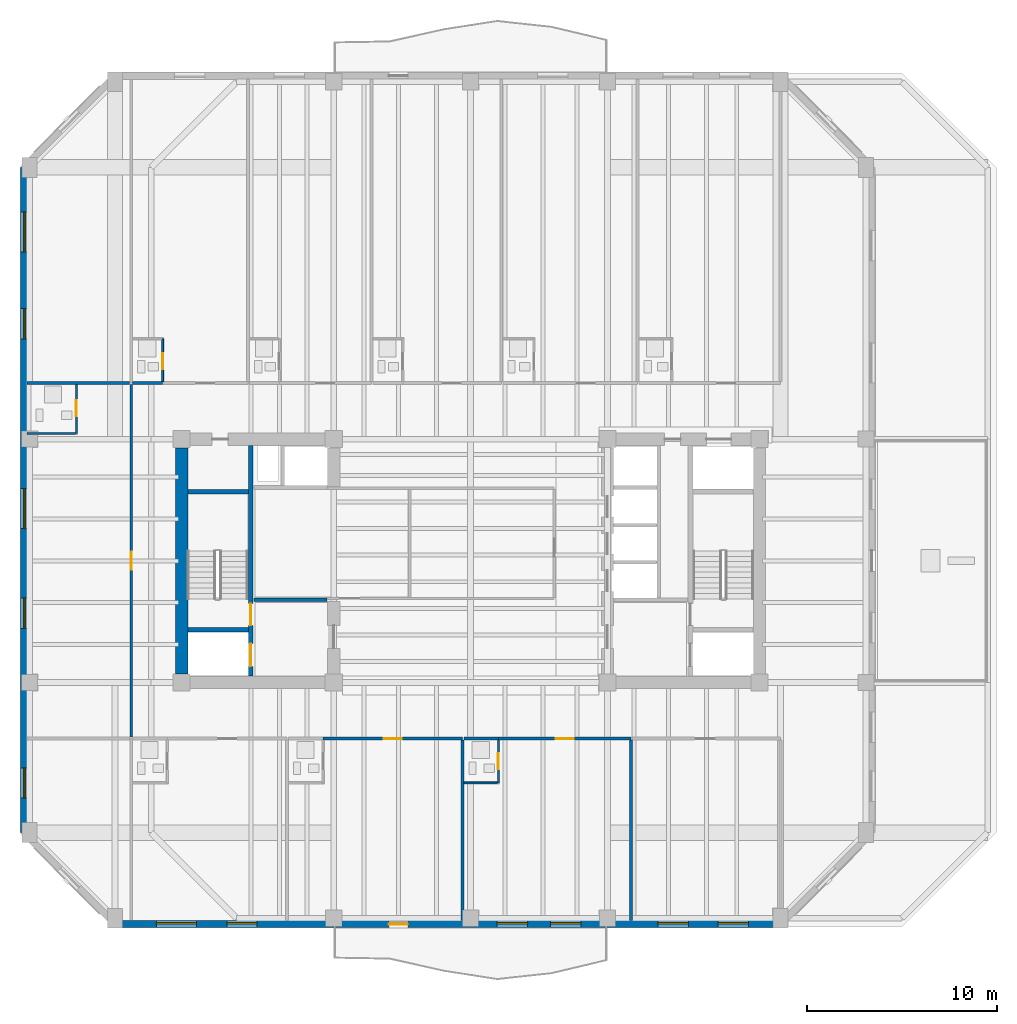
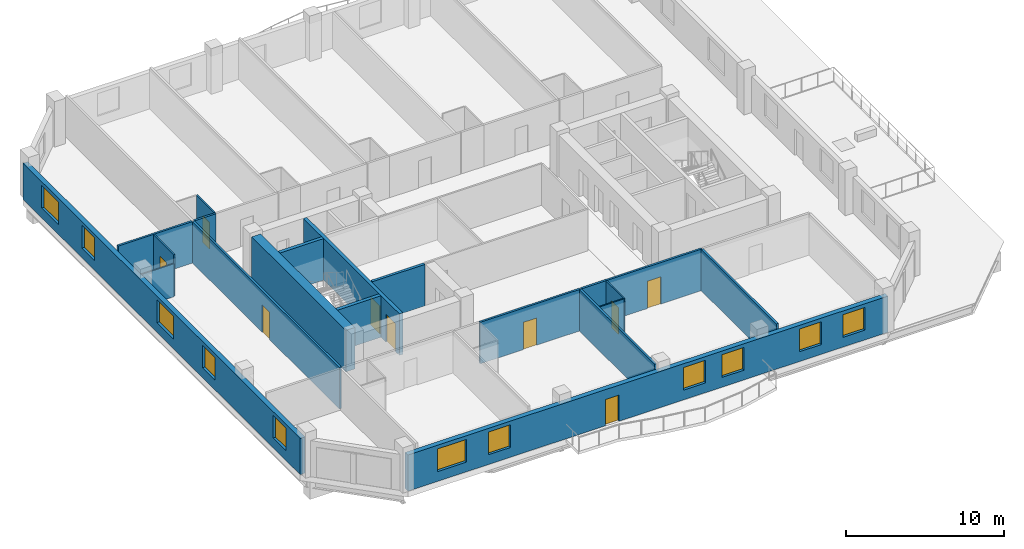
# One storey, part 3 of 11: 20 walls, 11 windows, 9 doors, 20 openings.
"""IFC4 building model written with IfcOpenShell, lengths in metres."""

from ifc_helpers import new_model, si_unit, direction, frame, frame_2d, origin, place, context, subcontext, project, spatial, rectangle, extrude, material, layer, layer_set, type_object, element, fill, save


model = new_model("IFC4")

# Units and contexts
model_context = context("Model", 3, precision=1e-05, world=origin(), true_north=direction((0.0, 1.0)))
body_context = subcontext(model_context, "Body", "Model", "MODEL_VIEW")
ifc_project = project(units=[si_unit("LENGTHUNIT", "METRE"), si_unit("AREAUNIT", "SQUARE_METRE"), si_unit("VOLUMEUNIT", "CUBIC_METRE"), si_unit("PLANEANGLEUNIT", "RADIAN"), si_unit("MASSUNIT", "GRAM", prefix="KILO")], contexts=[model_context])

# Site, building, storey
site_placement = place(None, origin())
site = spatial("IfcSite", under=ifc_project, at=site_placement, CompositionType="ELEMENT")
building_placement = place(site_placement, origin())
building = spatial("IfcBuilding", under=site, at=building_placement, Name="Kranthara Brick Stack", CompositionType="ELEMENT")
storey_placement = place(building_placement, frame((0.0, 0.0, 183.300048828125)))
storey = spatial("IfcBuildingStorey", under=building, at=storey_placement, Name="L47", CompositionType="ELEMENT", Elevation=183.300048828125)

# Wall, openings, door, windows
ifc_material_1 = material(Name="Kiln-fired clay brick masonry M15", Category="masonry")
ifc_layer_1 = layer(ifc_material_1, 0.35009765625)
ifc_layer_set_1 = layer_set([ifc_layer_1], Name="Kiln-fired clay brick masonry M15")
wall_type_1 = type_object("IfcWallType", Name="WL-BRK-SPND-350", PredefinedType="STANDARD", material=ifc_layer_set_1)
wall_1_placement = place(storey_placement, frame((44.300048828125, 8.094970703125, 0.0), z_axis=(0.0, 0.0, 1.0), x_axis=(-1.0, 0.0, 0.0)))
wall_1 = element("IfcWall", 1, at=wall_1_placement, inside=storey, type_object=wall_type_1, Name="L47 Exterior Brick Facade Wall SOUTH 1", PredefinedType="STANDARD", context=body_context, shape_type="SweptSolid", body=[
    extrude(rectangle(XDim=35.0, YDim=0.35009765625, at=frame_2d((17.5, 0.0))), origin(), (0.0, 0.0, 1.0), 2.784912109375),
])
opening_1_placement = place(wall_1_placement, frame((19.60009765625, 0.0, 0.0)))
opening_1 = element("IfcOpeningElement", 2, at=opening_1_placement, cuts=wall_1, Name="Opening D03", PredefinedType="OPENING", context=body_context, shape_type="SweptSolid", body=[
    extrude(rectangle(XDim=1.0, YDim=2.02001953125, at=frame_2d((0.5, 1.010009765625))), frame((0.0, 0.18505859375, 0.0), z_axis=(0.0, -1.0, 0.0), x_axis=(1.0, 0.0, 0.0)), (0.0, 0.0, 1.0), 0.3701171875),
])
opening_2_placement = place(wall_1_placement, frame((1.68603515625, 0.0, 0.75)))
opening_2 = element("IfcOpeningElement", 3, at=opening_2_placement, cuts=wall_1, Name="Opening WN04", PredefinedType="OPENING", context=body_context, shape_type="SweptSolid", body=[
    extrude(rectangle(XDim=1.60009765625, YDim=1.75, at=frame_2d((0.800048828125, 0.875))), frame((0.0, 0.18505859375, 0.0), z_axis=(0.0, -1.0, 0.0), x_axis=(1.0, 0.0, 0.0)), (0.0, 0.0, 1.0), 0.3701171875),
])
opening_3_placement = place(wall_1_placement, frame((4.843017578125, 0.0, 0.75)))
opening_3 = element("IfcOpeningElement", 4, at=opening_3_placement, cuts=wall_1, Name="Opening WN04", PredefinedType="OPENING", context=body_context, shape_type="SweptSolid", body=[
    extrude(rectangle(XDim=1.60009765625, YDim=1.75, at=frame_2d((0.800048828125, 0.875))), frame((0.0, 0.18505859375, 0.0), z_axis=(0.0, -1.0, 0.0), x_axis=(1.0, 0.0, 0.0)), (0.0, 0.0, 1.0), 0.3701171875),
])
opening_4_placement = place(wall_1_placement, frame((10.49609375, 0.0, 0.75)))
opening_4 = element("IfcOpeningElement", 5, at=opening_4_placement, cuts=wall_1, Name="Opening WN04", PredefinedType="OPENING", context=body_context, shape_type="SweptSolid", body=[
    extrude(rectangle(XDim=1.60009765625, YDim=1.75, at=frame_2d((0.800048828125, 0.875))), frame((0.0, 0.18505859375, 0.0), z_axis=(0.0, -1.0, 0.0), x_axis=(1.0, 0.0, 0.0)), (0.0, 0.0, 1.0), 0.3701171875),
])
opening_5_placement = place(wall_1_placement, frame((13.303955078125, 0.0, 0.75)))
opening_5 = element("IfcOpeningElement", 6, at=opening_5_placement, cuts=wall_1, Name="Opening WN04", PredefinedType="OPENING", context=body_context, shape_type="SweptSolid", body=[
    extrude(rectangle(XDim=1.60009765625, YDim=1.75, at=frame_2d((0.800048828125, 0.875))), frame((0.0, 0.18505859375, 0.0), z_axis=(0.0, -1.0, 0.0), x_axis=(1.0, 0.0, 0.0)), (0.0, 0.0, 1.0), 0.3701171875),
])
opening_6_placement = place(wall_1_placement, frame((27.52490234375, 0.0, 0.75)))
opening_6 = element("IfcOpeningElement", 7, at=opening_6_placement, cuts=wall_1, Name="Opening WN04", PredefinedType="OPENING", context=body_context, shape_type="SweptSolid", body=[
    extrude(rectangle(XDim=1.60009765625, YDim=1.75, at=frame_2d((0.800048828125, 0.875))), frame((0.0, 0.18505859375, 0.0), z_axis=(0.0, -1.0, 0.0), x_axis=(1.0, 0.0, 0.0)), (0.0, 0.0, 1.0), 0.3701171875),
])
opening_7_placement = place(wall_1_placement, frame((30.72900390625, 0.0, 0.75)))
opening_7 = element("IfcOpeningElement", 8, at=opening_7_placement, cuts=wall_1, Name="Opening WN05", PredefinedType="OPENING", context=body_context, shape_type="SweptSolid", body=[
    extrude(rectangle(XDim=2.10009765625, YDim=1.75, at=frame_2d((1.050048828125, 0.875))), frame((0.0, 0.18505859375, 0.0), z_axis=(0.0, -1.0, 0.0), x_axis=(1.0, 0.0, 0.0)), (0.0, 0.0, 1.0), 0.3701171875),
])
ifc_material_2 = material(Name="Bronze anodised aluminium and laminated glass", Category="aluminium")
door_type_1 = type_object("IfcDoorType", Name="DR-BALC-1000", OperationType="NOTDEFINED", PredefinedType="DOOR", material=ifc_material_2)
door_1_placement = place(opening_1_placement, origin())
door_1 = element("IfcDoor", 9, at=door_1_placement, inside=storey, type_object=door_type_1, Name="L47 South Balcony Terrace Door", OperationType="SINGLE_SWING_LEFT", OverallHeight=2.02001953125, OverallWidth=1.0, PredefinedType="DOOR", context=body_context, shape_type="SweptSolid", body=[
    extrude(rectangle(XDim=1.0, YDim=2.02001953125, at=frame_2d((0.5, 1.010009765625))), frame((0.0, 0.02490234375, 0.0), z_axis=(0.0, -1.0, 0.0), x_axis=(1.0, 0.0, 0.0)), (0.0, 0.0, 1.0), 0.050048828125),
])
fill(opening_1, door_1)
ifc_material_3 = material(Name="Double-glazed low-E solar control glass", Category="glass")
window_type_1 = type_object("IfcWindowType", Name="WN-HTL-1600x1850", PartitioningType="DOUBLE_PANEL_VERTICAL", PredefinedType="WINDOW", material=ifc_material_3)
window_1_placement = place(opening_2_placement, origin())
window_1 = element("IfcWindow", 10, at=window_1_placement, inside=storey, type_object=window_type_1, Name="L47 South Deep-Set Brick Window 01", OverallHeight=1.75, OverallWidth=1.60009765625, PartitioningType="SINGLE_PANEL", PredefinedType="WINDOW", context=body_context, shape_type="SweptSolid", body=[
    extrude(rectangle(XDim=1.60009765625, YDim=1.75, at=frame_2d((0.800048828125, 0.875))), frame((0.0, -0.010009765625, 0.0), z_axis=(0.0, -1.0, 0.0), x_axis=(1.0, 0.0, 0.0)), (0.0, 0.0, 1.0), 0.06005859375),
])
fill(opening_2, window_1)
window_2_placement = place(opening_3_placement, origin())
window_2 = element("IfcWindow", 11, at=window_2_placement, inside=storey, type_object=window_type_1, Name="L47 South Deep-Set Brick Window 02", OverallHeight=1.75, OverallWidth=1.60009765625, PartitioningType="SINGLE_PANEL", PredefinedType="WINDOW", context=body_context, shape_type="SweptSolid", body=[
    extrude(rectangle(XDim=1.60009765625, YDim=1.75, at=frame_2d((0.800048828125, 0.875))), frame((0.0, -0.010009765625, 0.0), z_axis=(0.0, -1.0, 0.0), x_axis=(1.0, 0.0, 0.0)), (0.0, 0.0, 1.0), 0.06005859375),
])
fill(opening_3, window_2)
window_3_placement = place(opening_4_placement, origin())
window_3 = element("IfcWindow", 12, at=window_3_placement, inside=storey, type_object=window_type_1, Name="L47 South Deep-Set Brick Window 03", OverallHeight=1.75, OverallWidth=1.60009765625, PartitioningType="SINGLE_PANEL", PredefinedType="WINDOW", context=body_context, shape_type="SweptSolid", body=[
    extrude(rectangle(XDim=1.60009765625, YDim=1.75, at=frame_2d((0.800048828125, 0.875))), frame((0.0, -0.010009765625, 0.0), z_axis=(0.0, -1.0, 0.0), x_axis=(1.0, 0.0, 0.0)), (0.0, 0.0, 1.0), 0.06005859375),
])
fill(opening_4, window_3)
window_4_placement = place(opening_5_placement, origin())
window_4 = element("IfcWindow", 13, at=window_4_placement, inside=storey, type_object=window_type_1, Name="L47 South Deep-Set Brick Window 04", OverallHeight=1.75, OverallWidth=1.60009765625, PartitioningType="SINGLE_PANEL", PredefinedType="WINDOW", context=body_context, shape_type="SweptSolid", body=[
    extrude(rectangle(XDim=1.60009765625, YDim=1.75, at=frame_2d((0.800048828125, 0.875))), frame((0.0, -0.010009765625, 0.0), z_axis=(0.0, -1.0, 0.0), x_axis=(1.0, 0.0, 0.0)), (0.0, 0.0, 1.0), 0.06005859375),
])
fill(opening_5, window_4)
window_5_placement = place(opening_6_placement, origin())
window_5 = element("IfcWindow", 14, at=window_5_placement, inside=storey, type_object=window_type_1, Name="L47 South Deep-Set Brick Window 05", OverallHeight=1.75, OverallWidth=1.60009765625, PartitioningType="SINGLE_PANEL", PredefinedType="WINDOW", context=body_context, shape_type="SweptSolid", body=[
    extrude(rectangle(XDim=1.60009765625, YDim=1.75, at=frame_2d((0.800048828125, 0.875))), frame((0.0, -0.010009765625, 0.0), z_axis=(0.0, -1.0, 0.0), x_axis=(1.0, 0.0, 0.0)), (0.0, 0.0, 1.0), 0.06005859375),
])
fill(opening_6, window_5)
ifc_material_4 = material(Name="Double-glazed low-E solar control glass", Category="glass")
window_type_2 = type_object("IfcWindowType", Name="WN-HTL-2100x1850", PartitioningType="DOUBLE_PANEL_VERTICAL", PredefinedType="WINDOW", material=ifc_material_4)
window_6_placement = place(opening_7_placement, origin())
window_6 = element("IfcWindow", 15, at=window_6_placement, inside=storey, type_object=window_type_2, Name="L47 South Deep-Set Brick Window 06", OverallHeight=1.75, OverallWidth=2.10009765625, PartitioningType="SINGLE_PANEL", PredefinedType="WINDOW", context=body_context, shape_type="SweptSolid", body=[
    extrude(rectangle(XDim=2.10009765625, YDim=1.75, at=frame_2d((1.050048828125, 0.875))), frame((0.0, -0.010009765625, 0.0), z_axis=(0.0, -1.0, 0.0), x_axis=(1.0, 0.0, 0.0)), (0.0, 0.0, 1.0), 0.06005859375),
])
fill(opening_7, window_6)

# Wall, openings, windows
wall_2_placement = place(storey_placement, frame((4.4951171875, 12.89990234375, 0.0), z_axis=(0.0, 0.0, 1.0), x_axis=(0.0, 1.0, 0.0)))
wall_2 = element("IfcWall", 16, at=wall_2_placement, inside=storey, type_object=wall_type_1, Name="L47 Exterior Brick Facade Wall WEST 1", PredefinedType="STANDARD", context=body_context, shape_type="SweptSolid", body=[
    extrude(rectangle(XDim=35.0, YDim=0.35009765625, at=frame_2d((17.5, 0.0))), origin(), (0.0, 0.0, 1.0), 2.784912109375),
])
opening_8_placement = place(wall_2_placement, frame((1.81298828125, 0.0, 0.75)))
opening_8 = element("IfcOpeningElement", 17, at=opening_8_placement, cuts=wall_2, Name="Opening WN04", PredefinedType="OPENING", context=body_context, shape_type="SweptSolid", body=[
    extrude(rectangle(XDim=1.60009765625, YDim=1.75, at=frame_2d((0.800048828125, 0.875))), frame((0.0, 0.18505859375, 0.0), z_axis=(0.0, -1.0, 0.0), x_axis=(1.0, 0.0, 0.0)), (0.0, 0.0, 1.0), 0.3701171875),
])
opening_9_placement = place(wall_2_placement, frame((10.751953125, 0.0, 0.75)))
opening_9 = element("IfcOpeningElement", 18, at=opening_9_placement, cuts=wall_2, Name="Opening WN04", PredefinedType="OPENING", context=body_context, shape_type="SweptSolid", body=[
    extrude(rectangle(XDim=1.60009765625, YDim=1.75, at=frame_2d((0.800048828125, 0.875))), frame((0.0, 0.18505859375, 0.0), z_axis=(0.0, -1.0, 0.0), x_axis=(1.0, 0.0, 0.0)), (0.0, 0.0, 1.0), 0.3701171875),
])
opening_10_placement = place(wall_2_placement, frame((15.998046875, 0.0, 0.75)))
opening_10 = element("IfcOpeningElement", 19, at=opening_10_placement, cuts=wall_2, Name="Opening WN05", PredefinedType="OPENING", context=body_context, shape_type="SweptSolid", body=[
    extrude(rectangle(XDim=2.10009765625, YDim=1.75, at=frame_2d((1.050048828125, 0.875))), frame((0.0, 0.18505859375, 0.0), z_axis=(0.0, -1.0, 0.0), x_axis=(1.0, 0.0, 0.0)), (0.0, 0.0, 1.0), 0.3701171875),
])
opening_11_placement = place(wall_2_placement, frame((25.969970703125, 0.0, 0.75)))
opening_11 = element("IfcOpeningElement", 20, at=opening_11_placement, cuts=wall_2, Name="Opening WN04", PredefinedType="OPENING", context=body_context, shape_type="SweptSolid", body=[
    extrude(rectangle(XDim=1.60009765625, YDim=1.75, at=frame_2d((0.800048828125, 0.875))), frame((0.0, 0.18505859375, 0.0), z_axis=(0.0, -1.0, 0.0), x_axis=(1.0, 0.0, 0.0)), (0.0, 0.0, 1.0), 0.3701171875),
])
opening_12_placement = place(wall_2_placement, frame((30.554931640625, 0.0, 0.75)))
opening_12 = element("IfcOpeningElement", 21, at=opening_12_placement, cuts=wall_2, Name="Opening WN05", PredefinedType="OPENING", context=body_context, shape_type="SweptSolid", body=[
    extrude(rectangle(XDim=2.10009765625, YDim=1.75, at=frame_2d((1.050048828125, 0.875))), frame((0.0, 0.18505859375, 0.0), z_axis=(0.0, -1.0, 0.0), x_axis=(1.0, 0.0, 0.0)), (0.0, 0.0, 1.0), 0.3701171875),
])
window_7_placement = place(opening_8_placement, origin())
window_7 = element("IfcWindow", 22, at=window_7_placement, inside=storey, type_object=window_type_1, Name="L47 West Deep-Set Brick Window 01", OverallHeight=1.75, OverallWidth=1.60009765625, PartitioningType="SINGLE_PANEL", PredefinedType="WINDOW", context=body_context, shape_type="SweptSolid", body=[
    extrude(rectangle(XDim=1.60009765625, YDim=1.75, at=frame_2d((0.800048828125, 0.875))), frame((0.0, -0.010009765625, 0.0), z_axis=(0.0, -1.0, 0.0), x_axis=(1.0, 0.0, 0.0)), (0.0, 0.0, 1.0), 0.06005859375),
])
fill(opening_8, window_7)
window_8_placement = place(opening_9_placement, origin())
window_8 = element("IfcWindow", 23, at=window_8_placement, inside=storey, type_object=window_type_1, Name="L47 West Deep-Set Brick Window 02", OverallHeight=1.75, OverallWidth=1.60009765625, PartitioningType="SINGLE_PANEL", PredefinedType="WINDOW", context=body_context, shape_type="SweptSolid", body=[
    extrude(rectangle(XDim=1.60009765625, YDim=1.75, at=frame_2d((0.800048828125, 0.875))), frame((0.0, -0.010009765625, 0.0), z_axis=(0.0, -1.0, 0.0), x_axis=(1.0, 0.0, 0.0)), (0.0, 0.0, 1.0), 0.06005859375),
])
fill(opening_9, window_8)
window_9_placement = place(opening_11_placement, origin())
window_9 = element("IfcWindow", 24, at=window_9_placement, inside=storey, type_object=window_type_1, Name="L47 West Deep-Set Brick Window 04", OverallHeight=1.75, OverallWidth=1.60009765625, PartitioningType="SINGLE_PANEL", PredefinedType="WINDOW", context=body_context, shape_type="SweptSolid", body=[
    extrude(rectangle(XDim=1.60009765625, YDim=1.75, at=frame_2d((0.800048828125, 0.875))), frame((0.0, -0.010009765625, 0.0), z_axis=(0.0, -1.0, 0.0), x_axis=(1.0, 0.0, 0.0)), (0.0, 0.0, 1.0), 0.06005859375),
])
fill(opening_11, window_9)
window_10_placement = place(opening_10_placement, origin())
window_10 = element("IfcWindow", 25, at=window_10_placement, inside=storey, type_object=window_type_2, Name="L47 West Deep-Set Brick Window 03", OverallHeight=1.75, OverallWidth=2.10009765625, PartitioningType="SINGLE_PANEL", PredefinedType="WINDOW", context=body_context, shape_type="SweptSolid", body=[
    extrude(rectangle(XDim=2.10009765625, YDim=1.75, at=frame_2d((1.050048828125, 0.875))), frame((0.0, -0.010009765625, 0.0), z_axis=(0.0, -1.0, 0.0), x_axis=(1.0, 0.0, 0.0)), (0.0, 0.0, 1.0), 0.06005859375),
])
fill(opening_10, window_10)
window_11_placement = place(opening_12_placement, origin())
window_11 = element("IfcWindow", 26, at=window_11_placement, inside=storey, type_object=window_type_2, Name="L47 West Deep-Set Brick Window 05", OverallHeight=1.75, OverallWidth=2.10009765625, PartitioningType="SINGLE_PANEL", PredefinedType="WINDOW", context=body_context, shape_type="SweptSolid", body=[
    extrude(rectangle(XDim=2.10009765625, YDim=1.75, at=frame_2d((1.050048828125, 0.875))), frame((0.0, -0.010009765625, 0.0), z_axis=(0.0, -1.0, 0.0), x_axis=(1.0, 0.0, 0.0)), (0.0, 0.0, 1.0), 0.06005859375),
])
fill(opening_12, window_11)

# Wall, openings, doors
ifc_material_5 = material(Name="Concrete C50/60", Category="concrete")
ifc_layer_2 = layer(ifc_material_5, 0.25)
ifc_layer_set_2 = layer_set([ifc_layer_2], Name="Concrete C50/60")
wall_type_2 = type_object("IfcWallType", Name="WL-CORE-250", PredefinedType="SHEAR", material=ifc_layer_set_2)
wall_3_placement = place(storey_placement, frame((16.43505859375, 21.135009765625, 0.0), z_axis=(0.0, 0.0, 1.0), x_axis=(0.0, 1.0, 0.0)))
wall_3 = element("IfcWall", 27, at=wall_3_placement, inside=storey, type_object=wall_type_2, Name="L47 West Core Stair Bearing Spine Wall", PredefinedType="SHEAR", context=body_context, shape_type="SweptSolid", body=[
    extrude(rectangle(XDim=12.1298828125, YDim=0.25, at=frame_2d((6.06494140625, 0.0))), origin(), (0.0, 0.0, 1.0), 3.199951171875),
])
opening_13_placement = place(wall_3_placement, frame((0.514892578125, 0.0, 0.0)))
opening_13 = element("IfcOpeningElement", 28, at=opening_13_placement, cuts=wall_3, Name="Opening LD01", PredefinedType="OPENING", context=body_context, shape_type="SweptSolid", body=[
    extrude(rectangle(XDim=1.199951171875, YDim=2.14990234375, at=frame_2d((0.60009765625, 1.074951171875))), frame((0.0, 0.135009765625, 0.0), z_axis=(0.0, -1.0, 0.0), x_axis=(1.0, 0.0, 0.0)), (0.0, 0.0, 1.0), 0.27001953125),
])
opening_14_placement = place(wall_3_placement, frame((2.6650390625, 0.0, 0.0)))
opening_14 = element("IfcOpeningElement", 29, at=opening_14_placement, cuts=wall_3, Name="Opening D05", PredefinedType="OPENING", context=body_context, shape_type="SweptSolid", body=[
    extrude(rectangle(XDim=1.14990234375, YDim=2.14990234375, at=frame_2d((0.574951171875, 1.074951171875))), frame((0.0, 0.135009765625, 0.0), z_axis=(0.0, -1.0, 0.0), x_axis=(1.0, 0.0, 0.0)), (0.0, 0.0, 1.0), 0.27001953125),
])
ifc_material_6 = material(Name="Stainless steel sliding landing door", Category="steel")
door_type_2 = type_object("IfcDoorType", Name="DR-LD-FF1200", OperationType="DOUBLE_DOOR_SLIDING", PredefinedType="DOOR", material=ifc_material_6)
door_2_placement = place(opening_13_placement, origin())
door_2 = element("IfcDoor", 30, at=door_2_placement, inside=storey, type_object=door_type_2, Name="L47 Firefighting Lift FF-01 Landing Door", OperationType="DOUBLE_DOOR_SLIDING", OverallHeight=2.14990234375, OverallWidth=1.199951171875, PredefinedType="DOOR", context=body_context, shape_type="SweptSolid", body=[
    extrude(rectangle(XDim=1.199951171875, YDim=2.14990234375, at=frame_2d((0.60009765625, 1.074951171875))), frame((0.0, 0.02490234375, 0.0), z_axis=(0.0, -1.0, 0.0), x_axis=(1.0, 0.0, 0.0)), (0.0, 0.0, 1.0), 0.050048828125),
])
fill(opening_13, door_2)
ifc_material_7 = material(Name="Solid-core hardwood timber leaf in steel frame", Category="steel")
door_type_3 = type_object("IfcDoorType", Name="DR-ST-1150", OperationType="NOTDEFINED", PredefinedType="DOOR", material=ifc_material_7)
door_3_placement = place(opening_14_placement, origin())
door_3 = element("IfcDoor", 31, at=door_3_placement, inside=storey, type_object=door_type_3, Name="L47 Exit Stair ST01 Door", OperationType="SINGLE_SWING_RIGHT", OverallHeight=2.14990234375, OverallWidth=1.14990234375, PredefinedType="DOOR", context=body_context, shape_type="SweptSolid", body=[
    extrude(rectangle(XDim=1.14990234375, YDim=2.14990234375, at=frame_2d((0.574951171875, 1.074951171875))), frame((0.0, 0.02490234375, 0.0), z_axis=(0.0, -1.0, 0.0), x_axis=(1.0, 0.0, 0.0)), (0.0, 0.0, 1.0), 0.050048828125),
])
fill(opening_14, door_3)

# Walls
for number, where, z_axis, x_axis, name in (
    (32, (13.135009765625, 23.570068359375, 0.0), (0.0, 0.0, 1.0), (1.0, 0.0, 0.0), "L47 West Stairwell Bearing Wall WFF"),
    (33, (13.135009765625, 30.830078125, 0.0), (0.0, 0.0, 1.0), (1.0, 0.0, 0.0), "L47 West Stairwell Bearing Wall WST"),
):
    element("IfcWall", number, at=place(storey_placement, frame(where, z_axis=z_axis, x_axis=x_axis)), inside=storey, type_object=wall_type_2, Name=name, PredefinedType="SHEAR", context=body_context, shape_type="SweptSolid", body=[
        extrude(rectangle(XDim=3.175048828125, YDim=0.25, at=frame_2d((1.58740234375, 0.0))), origin(), (0.0, 0.0, 1.0), 3.199951171875),
    ])
ifc_material_8 = material(Name="Concrete C60/75", Category="concrete")
ifc_layer_3 = layer(ifc_material_8, 0.64990234375)
ifc_layer_set_3 = layer_set([ifc_layer_3], Name="Concrete C60/75")
wall_type_3 = type_object("IfcWallType", Name="WL-CORE-650", PredefinedType="SHEAR", material=ifc_layer_set_3)
wall_4_placement = place(storey_placement, frame((12.800048828125, 21.2548828125, 0.0), z_axis=(0.0, 0.0, 1.0), x_axis=(0.0, 1.0, 0.0)))
element("IfcWall", 34, at=wall_4_placement, inside=storey, type_object=wall_type_3, Name="L47 West Core Shear Wall West", PredefinedType="SHEAR", context=body_context, shape_type="SweptSolid", body=[
    extrude(rectangle(XDim=11.89013671875, YDim=0.64990234375, at=frame_2d((5.945068359375, 0.0))), origin(), (0.0, 0.0, 1.0), 3.199951171875),
])

# Wall, opening, door
ifc_material_9 = material(Name="Moisture-resistant wet-room partition", Category="other")
ifc_layer_4 = layer(ifc_material_9, 0.10009765625)
ifc_layer_set_4 = layer_set([ifc_layer_4], Name="Moisture-resistant wet-room partition")
wall_type_4 = type_object("IfcWallType", Name="WL-PART-100", PredefinedType="PARTITIONING", material=ifc_layer_set_4)
wall_5_placement = place(storey_placement, frame((29.466064453125, 15.52001953125, 0.0), z_axis=(0.0, 0.0, 1.0), x_axis=(0.0, 1.0, 0.0)))
wall_5 = element("IfcWall", 35, at=wall_5_placement, inside=storey, type_object=wall_type_4, Name="L47 Interior Partition 018", PredefinedType="PARTITIONING", context=body_context, shape_type="SweptSolid", body=[
    extrude(rectangle(XDim=2.25, YDim=0.10009765625, at=frame_2d((1.125, 0.0))), origin(), (0.0, 0.0, 1.0), 3.199951171875),
])
opening_15_placement = place(wall_5_placement, frame((0.719970703125, 0.0, 0.0)))
opening_15 = element("IfcOpeningElement", 36, at=opening_15_placement, cuts=wall_5, Name="Opening D17", PredefinedType="OPENING", context=body_context, shape_type="SweptSolid", body=[
    extrude(rectangle(XDim=0.85009765625, YDim=2.050048828125, at=frame_2d((0.425048828125, 1.02490234375))), frame((0.0, 0.06005859375, 0.0), z_axis=(0.0, -1.0, 0.0), x_axis=(1.0, 0.0, 0.0)), (0.0, 0.0, 1.0), 0.1201171875),
])
ifc_material_10 = material(Name="Solid-core hardwood timber leaf in steel frame", Category="steel")
door_type_4 = type_object("IfcDoorType", Name="DR-WET-850", OperationType="NOTDEFINED", PredefinedType="DOOR", material=ifc_material_10)
door_4_placement = place(opening_15_placement, origin())
door_4 = element("IfcDoor", 37, at=door_4_placement, inside=storey, type_object=door_type_4, Name="L47 Key 03 En-Suite Door 07", OperationType="SINGLE_SWING_LEFT", OverallHeight=2.050048828125, OverallWidth=0.85009765625, PredefinedType="DOOR", context=body_context, shape_type="SweptSolid", body=[
    extrude(rectangle(XDim=0.85009765625, YDim=2.050048828125, at=frame_2d((0.425048828125, 1.02490234375))), frame((0.0, 0.02490234375, 0.0), z_axis=(0.0, -1.0, 0.0), x_axis=(1.0, 0.0, 0.0)), (0.0, 0.0, 1.0), 0.050048828125),
])
fill(opening_15, door_4)

# Wall
wall_6_placement = place(storey_placement, frame((27.64599609375, 15.52001953125, 0.0), z_axis=(0.0, 0.0, 1.0), x_axis=(1.0, 0.0, 0.0)))
element("IfcWall", 38, at=wall_6_placement, inside=storey, type_object=wall_type_4, Name="L47 Interior Partition 019", PredefinedType="PARTITIONING", context=body_context, shape_type="SweptSolid", body=[
    extrude(rectangle(XDim=1.764892578125, YDim=0.10009765625, at=frame_2d((0.88232421875, 0.0))), origin(), (0.0, 0.0, 1.0), 3.199951171875),
])

# Wall, opening, door
wall_7_placement = place(storey_placement, frame((11.800048828125, 36.6298828125, 0.0), z_axis=(0.0, 0.0, 1.0), x_axis=(0.0, 1.0, 0.0)))
wall_7 = element("IfcWall", 39, at=wall_7_placement, inside=storey, type_object=wall_type_4, Name="L47 Interior Partition 026", PredefinedType="PARTITIONING", context=body_context, shape_type="SweptSolid", body=[
    extrude(rectangle(XDim=2.25, YDim=0.10009765625, at=frame_2d((1.125, 0.0))), origin(), (0.0, 0.0, 1.0), 3.199951171875),
])
opening_16_placement = place(wall_7_placement, frame((0.639892578125, 0.0, 0.0)))
opening_16 = element("IfcOpeningElement", 40, at=opening_16_placement, cuts=wall_7, Name="Opening D17", PredefinedType="OPENING", context=body_context, shape_type="SweptSolid", body=[
    extrude(rectangle(XDim=0.85009765625, YDim=2.050048828125, at=frame_2d((0.425048828125, 1.02490234375))), frame((0.0, 0.06005859375, 0.0), z_axis=(0.0, -1.0, 0.0), x_axis=(1.0, 0.0, 0.0)), (0.0, 0.0, 1.0), 0.1201171875),
])
door_5_placement = place(opening_16_placement, origin())
door_5 = element("IfcDoor", 41, at=door_5_placement, inside=storey, type_object=door_type_4, Name="L47 Key 05 En-Suite Door 10", OperationType="SINGLE_SWING_RIGHT", OverallHeight=2.050048828125, OverallWidth=0.85009765625, PredefinedType="DOOR", context=body_context, shape_type="SweptSolid", body=[
    extrude(rectangle(XDim=0.85009765625, YDim=2.050048828125, at=frame_2d((0.425048828125, 1.02490234375))), frame((0.0, 0.02490234375, 0.0), z_axis=(0.0, -1.0, 0.0), x_axis=(1.0, 0.0, 0.0)), (0.0, 0.0, 1.0), 0.050048828125),
])
fill(opening_16, door_5)

wall_8_placement = place(storey_placement, frame((7.27001953125, 33.89990234375, 0.0), z_axis=(0.0, 0.0, 1.0), x_axis=(0.0, 1.0, 0.0)))
wall_8 = element("IfcWall", 42, at=wall_8_placement, inside=storey, type_object=wall_type_4, Name="L47 Interior Partition 052", PredefinedType="PARTITIONING", context=body_context, shape_type="SweptSolid", body=[
    extrude(rectangle(XDim=2.570068359375, YDim=0.10009765625, at=frame_2d((1.28515625, 0.0))), origin(), (0.0, 0.0, 1.0), 3.199951171875),
])
opening_17_placement = place(wall_8_placement, frame((0.905029296875, 0.0, 0.0)))
opening_17 = element("IfcOpeningElement", 43, at=opening_17_placement, cuts=wall_8, Name="Opening D17", PredefinedType="OPENING", context=body_context, shape_type="SweptSolid", body=[
    extrude(rectangle(XDim=0.85009765625, YDim=2.050048828125, at=frame_2d((0.425048828125, 1.02490234375))), frame((0.0, 0.06005859375, 0.0), z_axis=(0.0, -1.0, 0.0), x_axis=(1.0, 0.0, 0.0)), (0.0, 0.0, 1.0), 0.1201171875),
])
door_6_placement = place(opening_17_placement, origin())
door_6 = element("IfcDoor", 44, at=door_6_placement, inside=storey, type_object=door_type_4, Name="L47 West Key 10 Bath 20", OperationType="SINGLE_SWING_RIGHT", OverallHeight=2.050048828125, OverallWidth=0.85009765625, PredefinedType="DOOR", context=body_context, shape_type="SweptSolid", body=[
    extrude(rectangle(XDim=0.85009765625, YDim=2.050048828125, at=frame_2d((0.425048828125, 1.02490234375))), frame((0.0, 0.02490234375, 0.0), z_axis=(0.0, -1.0, 0.0), x_axis=(1.0, 0.0, 0.0)), (0.0, 0.0, 1.0), 0.050048828125),
])
fill(opening_17, door_6)

# Wall
wall_9_placement = place(storey_placement, frame((4.675048828125, 33.89990234375, 0.0), z_axis=(0.0, 0.0, 1.0), x_axis=(1.0, 0.0, 0.0)))
element("IfcWall", 45, at=wall_9_placement, inside=storey, type_object=wall_type_4, Name="L47 Interior Partition 053", PredefinedType="PARTITIONING", context=body_context, shape_type="SweptSolid", body=[
    extrude(rectangle(XDim=2.5400390625, YDim=0.10009765625, at=frame_2d((1.27001953125, 0.0))), origin(), (0.0, 0.0, 1.0), 2.534912109375),
])

# Wall, opening, door
ifc_material_11 = material(Name="Fire-rated gypsum board partition", Category="other")
ifc_layer_5 = layer(ifc_material_11, 0.14990234375)
ifc_layer_set_5 = layer_set([ifc_layer_5], Name="Fire-rated gypsum board partition")
wall_type_5 = type_object("IfcWallType", Name="WL-PART-150", PredefinedType="PARTITIONING", material=ifc_layer_set_5)
wall_10_placement = place(storey_placement, frame((20.24609375, 17.85009765625, 0.0), z_axis=(0.0, 0.0, 1.0), x_axis=(1.0, 0.0, 0.0)))
wall_10 = element("IfcWall", 46, at=wall_10_placement, inside=storey, type_object=wall_type_5, Name="L47 Interior Partition 012", PredefinedType="PARTITIONING", context=body_context, shape_type="SweptSolid", body=[
    extrude(rectangle(XDim=7.31982421875, YDim=0.14990234375, at=frame_2d((3.659912109375, 0.0))), origin(), (0.0, 0.0, 1.0), 3.199951171875),
])
opening_18_placement = place(wall_10_placement, frame((3.179931640625, 0.0, 0.0)))
opening_18 = element("IfcOpeningElement", 47, at=opening_18_placement, cuts=wall_10, Name="Opening D09", PredefinedType="OPENING", context=body_context, shape_type="SweptSolid", body=[
    extrude(rectangle(XDim=0.949951171875, YDim=2.10009765625, at=frame_2d((0.47509765625, 1.050048828125))), frame((0.0, 0.0849609375, 0.0), z_axis=(0.0, -1.0, 0.0), x_axis=(1.0, 0.0, 0.0)), (0.0, 0.0, 1.0), 0.169921875),
])
ifc_material_12 = material(Name="Solid-core hardwood timber leaf in steel frame", Category="steel")
door_type_5 = type_object("IfcDoorType", Name="DR-FD-950", OperationType="NOTDEFINED", PredefinedType="DOOR", material=ifc_material_12)
door_7_placement = place(opening_18_placement, origin())
door_7 = element("IfcDoor", 48, at=door_7_placement, inside=storey, type_object=door_type_5, Name="L47 Key 02 Entry 06", OperationType="SINGLE_SWING_RIGHT", OverallHeight=2.10009765625, OverallWidth=0.949951171875, PredefinedType="DOOR", context=body_context, shape_type="SweptSolid", body=[
    extrude(rectangle(XDim=0.949951171875, YDim=2.10009765625, at=frame_2d((0.47509765625, 1.050048828125))), frame((0.0, 0.02490234375, 0.0), z_axis=(0.0, -1.0, 0.0), x_axis=(1.0, 0.0, 0.0)), (0.0, 0.0, 1.0), 0.050048828125),
])
fill(opening_18, door_7)

# Walls
wall_11_placement = place(storey_placement, frame((27.56591796875, 8.27490234375, 0.0), z_axis=(0.0, 0.0, 1.0), x_axis=(0.0, 1.0, 0.0)))
element("IfcWall", 49, at=wall_11_placement, inside=storey, type_object=wall_type_5, Name="L47 Interior Partition 015", PredefinedType="PARTITIONING", context=body_context, shape_type="SweptSolid", body=[
    extrude(rectangle(XDim=9.4951171875, YDim=0.14990234375, at=frame_2d((4.74755859375, 0.0))), origin(), (0.0, 0.0, 1.0), 3.199951171875),
])
wall_12_placement = place(storey_placement, frame((27.64599609375, 17.85009765625, 0.0), z_axis=(0.0, 0.0, 1.0), x_axis=(1.0, 0.0, 0.0)))
element("IfcWall", 50, at=wall_12_placement, inside=storey, type_object=wall_type_5, Name="L47 Interior Partition 016", PredefinedType="PARTITIONING", context=body_context, shape_type="SweptSolid", body=[
    extrude(rectangle(XDim=1.820068359375, YDim=0.14990234375, at=frame_2d((0.91015625, 0.0))), origin(), (0.0, 0.0, 1.0), 3.199951171875),
])

# Wall, opening, door
wall_13_placement = place(storey_placement, frame((29.466064453125, 17.85009765625, 0.0), z_axis=(0.0, 0.0, 1.0), x_axis=(1.0, 0.0, 0.0)))
wall_13 = element("IfcWall", 51, at=wall_13_placement, inside=storey, type_object=wall_type_5, Name="L47 Interior Partition 017", PredefinedType="PARTITIONING", context=body_context, shape_type="SweptSolid", body=[
    extrude(rectangle(XDim=6.97998046875, YDim=0.14990234375, at=frame_2d((3.489990234375, 0.0))), origin(), (0.0, 0.0, 1.0), 3.199951171875),
])
opening_19_placement = place(wall_13_placement, frame((3.010009765625, 0.0, 0.0)))
opening_19 = element("IfcOpeningElement", 52, at=opening_19_placement, cuts=wall_13, Name="Opening D09", PredefinedType="OPENING", context=body_context, shape_type="SweptSolid", body=[
    extrude(rectangle(XDim=0.949951171875, YDim=2.10009765625, at=frame_2d((0.47509765625, 1.050048828125))), frame((0.0, 0.0849609375, 0.0), z_axis=(0.0, -1.0, 0.0), x_axis=(1.0, 0.0, 0.0)), (0.0, 0.0, 1.0), 0.169921875),
])
door_8_placement = place(opening_19_placement, origin())
door_8 = element("IfcDoor", 53, at=door_8_placement, inside=storey, type_object=door_type_5, Name="L47 Key 03 Entry 08", OperationType="SINGLE_SWING_RIGHT", OverallHeight=2.10009765625, OverallWidth=0.949951171875, PredefinedType="DOOR", context=body_context, shape_type="SweptSolid", body=[
    extrude(rectangle(XDim=0.949951171875, YDim=2.10009765625, at=frame_2d((0.47509765625, 1.050048828125))), frame((0.0, 0.02490234375, 0.0), z_axis=(0.0, -1.0, 0.0), x_axis=(1.0, 0.0, 0.0)), (0.0, 0.0, 1.0), 0.050048828125),
])
fill(opening_19, door_8)

# Walls
wall_14_placement = place(storey_placement, frame((36.446044921875, 8.27490234375, 0.0), z_axis=(0.0, 0.0, 1.0), x_axis=(0.0, 1.0, 0.0)))
element("IfcWall", 54, at=wall_14_placement, inside=storey, type_object=wall_type_5, Name="L47 Interior Partition 020", PredefinedType="PARTITIONING", context=body_context, shape_type="SweptSolid", body=[
    extrude(rectangle(XDim=9.4951171875, YDim=0.14990234375, at=frame_2d((4.74755859375, 0.0))), origin(), (0.0, 0.0, 1.0), 3.199951171875),
])
wall_15_placement = place(storey_placement, frame((10.22998046875, 36.550048828125, 0.0), z_axis=(0.0, 0.0, 1.0), x_axis=(1.0, 0.0, 0.0)))
element("IfcWall", 55, at=wall_15_placement, inside=storey, type_object=wall_type_5, Name="L47 Interior Partition 024", PredefinedType="PARTITIONING", context=body_context, shape_type="SweptSolid", body=[
    extrude(rectangle(XDim=1.570068359375, YDim=0.14990234375, at=frame_2d((0.78515625, 0.0))), origin(), (0.0, 0.0, 1.0), 3.199951171875),
])
wall_16_placement = place(storey_placement, frame((4.675048828125, 36.550048828125, 0.0), z_axis=(0.0, 0.0, 1.0), x_axis=(1.0, 0.0, 0.0)))
element("IfcWall", 56, at=wall_16_placement, inside=storey, type_object=wall_type_5, Name="L47 Interior Partition 050", PredefinedType="PARTITIONING", context=body_context, shape_type="SweptSolid", body=[
    extrude(rectangle(XDim=5.39501953125, YDim=0.14990234375, at=frame_2d((2.697509765625, 0.0))), origin(), (0.0, 0.0, 1.0), 3.199951171875),
])

# Wall, opening, door
wall_17_placement = place(storey_placement, frame((10.14990234375, 17.929931640625, 0.0), z_axis=(0.0, 0.0, 1.0), x_axis=(0.0, 1.0, 0.0)))
wall_17 = element("IfcWall", 57, at=wall_17_placement, inside=storey, type_object=wall_type_5, Name="L47 Interior Partition 051", PredefinedType="PARTITIONING", context=body_context, shape_type="SweptSolid", body=[
    extrude(rectangle(XDim=18.5400390625, YDim=0.14990234375, at=frame_2d((9.27001953125, 0.0))), origin(), (0.0, 0.0, 1.0), 3.199951171875),
])
opening_20_placement = place(wall_17_placement, frame((8.7900390625, 0.0, 0.0)))
opening_20 = element("IfcOpeningElement", 58, at=opening_20_placement, cuts=wall_17, Name="Opening D09", PredefinedType="OPENING", context=body_context, shape_type="SweptSolid", body=[
    extrude(rectangle(XDim=0.949951171875, YDim=2.10009765625, at=frame_2d((0.47509765625, 1.050048828125))), frame((0.0, 0.0849609375, 0.0), z_axis=(0.0, -1.0, 0.0), x_axis=(1.0, 0.0, 0.0)), (0.0, 0.0, 1.0), 0.169921875),
])
door_9_placement = place(opening_20_placement, origin())
door_9 = element("IfcDoor", 59, at=door_9_placement, inside=storey, type_object=door_type_5, Name="L47 West Key 10 21", OperationType="SINGLE_SWING_LEFT", OverallHeight=2.10009765625, OverallWidth=0.949951171875, PredefinedType="DOOR", context=body_context, shape_type="SweptSolid", body=[
    extrude(rectangle(XDim=0.949951171875, YDim=2.10009765625, at=frame_2d((0.47509765625, 1.050048828125))), frame((0.0, 0.02490234375, 0.0), z_axis=(0.0, -1.0, 0.0), x_axis=(1.0, 0.0, 0.0)), (0.0, 0.0, 1.0), 0.050048828125),
])
fill(opening_20, door_9)

# Wall
ifc_material_13 = material(Name="Concrete C40/50", Category="concrete")
ifc_layer_6 = layer(ifc_material_13, 0.199951171875)
ifc_layer_set_6 = layer_set([ifc_layer_6], Name="Concrete C40/50")
wall_type_6 = type_object("IfcWallType", Name="WL-PART-200", PredefinedType="SOLIDWALL", material=ifc_layer_set_6)
wall_18_placement = place(storey_placement, frame((16.60009765625, 25.14990234375, 0.0), z_axis=(0.0, 0.0, 1.0), x_axis=(1.0, 0.0, 0.0)))
element("IfcWall", 60, at=wall_18_placement, inside=storey, type_object=wall_type_6, Name="L47 West Core Cross Wall WFL", PredefinedType="SOLIDWALL", context=body_context, shape_type="SweptSolid", body=[
    extrude(rectangle(XDim=3.849853515625, YDim=0.199951171875, at=frame_2d((1.9248046875, 0.0))), origin(), (0.0, 0.0, 1.0), 3.199951171875),
])

save(model, "model.ifc")
